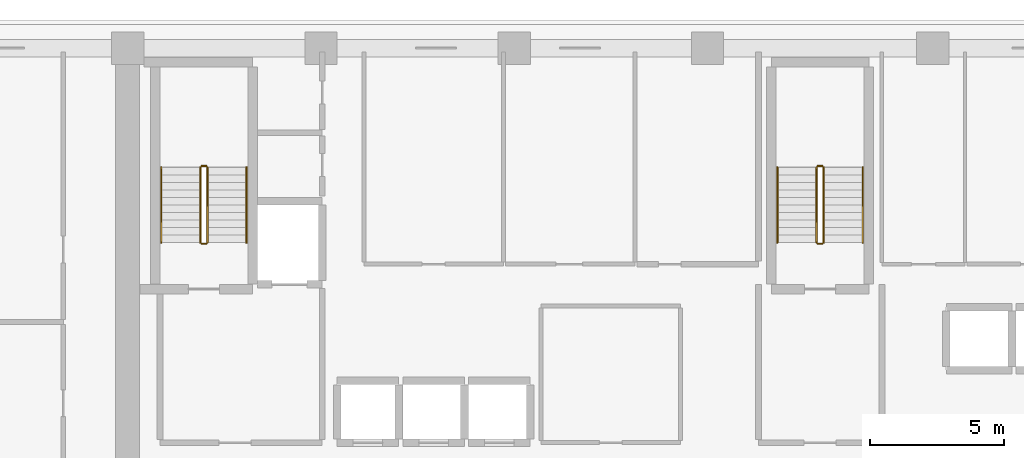
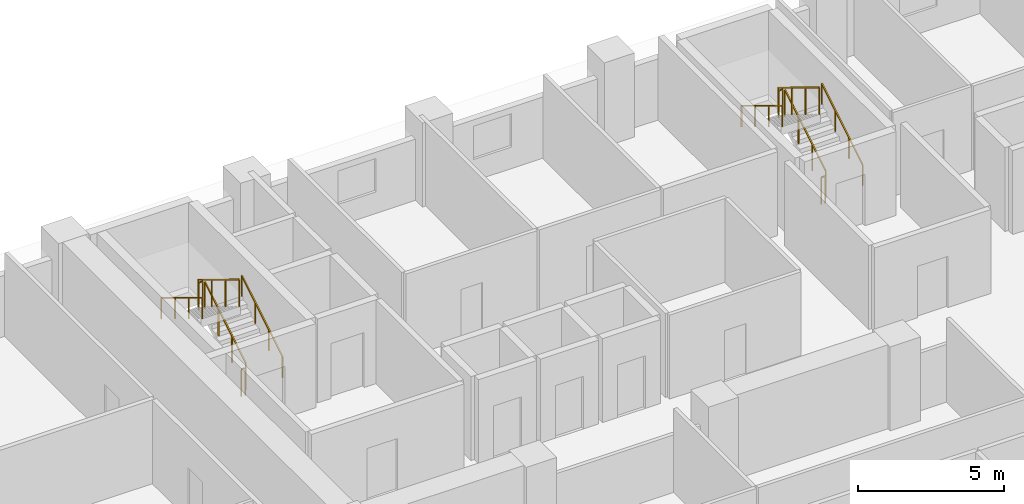
# One storey, part 13 of 15: 12 railings.
"""IFC4 building model written with IfcOpenShell, lengths in metres."""

from ifc_helpers import new_model, si_unit, direction, frame, origin, origin_2d, place, context, subcontext, project, spatial, rectangle, extrude, material, type_object, element, save


model = new_model("IFC4")

# Units and contexts
model_context = context("Model", 3, precision=1e-05, world=origin(), true_north=direction((0.0, 1.0)))
body_context = subcontext(model_context, "Body", "Model", "MODEL_VIEW")
ifc_project = project(units=[si_unit("LENGTHUNIT", "METRE"), si_unit("AREAUNIT", "SQUARE_METRE"), si_unit("VOLUMEUNIT", "CUBIC_METRE"), si_unit("PLANEANGLEUNIT", "RADIAN"), si_unit("MASSUNIT", "GRAM", prefix="KILO")], contexts=[model_context])

# Site, building, storey
site_placement = place(None, origin())
site = spatial("IfcSite", under=ifc_project, at=site_placement, CompositionType="ELEMENT")
building_placement = place(site_placement, origin())
building = spatial("IfcBuilding", under=site, at=building_placement, Name="Kaelvorn Grand Hotel", CompositionType="ELEMENT")
storey_placement = place(building_placement, frame((0.0, 0.0, 100.550048828125)))
storey = spatial("IfcBuildingStorey", under=building, at=storey_placement, Name="L23", CompositionType="ELEMENT", Elevation=100.550048828125)

# Railings
ifc_material = material(Name="Stainless Steel", Category="steel")
railing_type_1 = type_object("IfcRailingType", Name="RL-HANDRAIL-900", PredefinedType="HANDRAIL", material=ifc_material)
railing_1_placement = place(storey_placement, frame((20.6298828125, 41.760009765625, 0.17041015625)))
element("IfcRailing", 1, at=railing_1_placement, inside=storey, type_object=railing_type_1, Name="L23 ST1 stair handrail 1", PredefinedType="HANDRAIL", context=body_context, shape_type="SweptSolid", body=[
    extrude(rectangle(XDim=0.048095703125, YDim=0.048095703125, at=origin_2d()), frame((0.0, 0.0, 0.8759765625), z_axis=(0.0, 0.854169791009, 0.51999420009), x_axis=(-1.0, 0.0, 0.0)), (0.0, 0.0, 1.0), 3.278076171875),
    extrude(rectangle(XDim=0.0419921875, YDim=0.0419921875, at=origin_2d()), origin(), (0.0, 0.0, 1.0), 0.851806640625),
    extrude(rectangle(XDim=0.0419921875, YDim=0.0419921875, at=origin_2d()), frame((0.0, 0.933349609375, 0.568115234375)), (0.0, 0.0, 1.0), 0.851806640625),
    extrude(rectangle(XDim=0.0419921875, YDim=0.0419921875, at=origin_2d()), frame((0.0, 1.86669921875, 1.136474609375)), (0.0, 0.0, 1.0), 0.851806640625),
    extrude(rectangle(XDim=0.0419921875, YDim=0.0419921875, at=origin_2d()), frame((0.0, 2.800048828125, 1.70458984375)), (0.0, 0.0, 1.0), 0.851806640625),
])
railing_2_placement = place(storey_placement, frame((17.449951171875, 44.56005859375, 2.04541015625)))
element("IfcRailing", 2, at=railing_2_placement, inside=storey, type_object=railing_type_1, Name="L23 ST1 stair handrail 2", PredefinedType="HANDRAIL", context=body_context, shape_type="SweptSolid", body=[
    extrude(rectangle(XDim=0.048095703125, YDim=0.048095703125, at=origin_2d()), frame((0.0, 0.0, 0.8759765625), z_axis=(0.0, -0.854169791009, 0.51999420009), x_axis=(1.0, 0.0, 0.0)), (0.0, 0.0, 1.0), 3.278076171875),
    extrude(rectangle(XDim=0.0419921875, YDim=0.0419921875, at=origin_2d()), origin(), (0.0, 0.0, 1.0), 0.851806640625),
    extrude(rectangle(XDim=0.0419921875, YDim=0.0419921875, at=origin_2d()), frame((0.0, -0.933349609375, 0.568115234375)), (0.0, 0.0, 1.0), 0.851806640625),
    extrude(rectangle(XDim=0.0419921875, YDim=0.0419921875, at=origin_2d()), frame((0.0, -1.86669921875, 1.136474609375)), (0.0, 0.0, 1.0), 0.851806640625),
    extrude(rectangle(XDim=0.0419921875, YDim=0.0419921875, at=origin_2d()), frame((0.0, -2.800048828125, 1.70458984375)), (0.0, 0.0, 1.0), 0.851806640625),
])
railing_3_placement = place(storey_placement, frame((43.590087890625, 41.760009765625, 0.17041015625)))
element("IfcRailing", 3, at=railing_3_placement, inside=storey, type_object=railing_type_1, Name="L23 ST2 stair handrail 1", PredefinedType="HANDRAIL", context=body_context, shape_type="SweptSolid", body=[
    extrude(rectangle(XDim=0.048095703125, YDim=0.048095703125, at=origin_2d()), frame((0.0, 0.0, 0.8759765625), z_axis=(0.0, 0.854169791009, 0.51999420009), x_axis=(-1.0, 0.0, 0.0)), (0.0, 0.0, 1.0), 3.278076171875),
    extrude(rectangle(XDim=0.0419921875, YDim=0.0419921875, at=origin_2d()), origin(), (0.0, 0.0, 1.0), 0.851806640625),
    extrude(rectangle(XDim=0.0419921875, YDim=0.0419921875, at=origin_2d()), frame((0.0, 0.933349609375, 0.568115234375)), (0.0, 0.0, 1.0), 0.851806640625),
    extrude(rectangle(XDim=0.0419921875, YDim=0.0419921875, at=origin_2d()), frame((0.0, 1.86669921875, 1.136474609375)), (0.0, 0.0, 1.0), 0.851806640625),
    extrude(rectangle(XDim=0.0419921875, YDim=0.0419921875, at=origin_2d()), frame((0.0, 2.800048828125, 1.70458984375)), (0.0, 0.0, 1.0), 0.851806640625),
])
railing_4_placement = place(storey_placement, frame((40.409912109375, 44.56005859375, 2.04541015625)))
element("IfcRailing", 4, at=railing_4_placement, inside=storey, type_object=railing_type_1, Name="L23 ST2 stair handrail 2", PredefinedType="HANDRAIL", context=body_context, shape_type="SweptSolid", body=[
    extrude(rectangle(XDim=0.048095703125, YDim=0.048095703125, at=origin_2d()), frame((0.0, 0.0, 0.8759765625), z_axis=(0.0, -0.854169791009, 0.51999420009), x_axis=(1.0, 0.0, 0.0)), (0.0, 0.0, 1.0), 3.278076171875),
    extrude(rectangle(XDim=0.0419921875, YDim=0.0419921875, at=origin_2d()), origin(), (0.0, 0.0, 1.0), 0.851806640625),
    extrude(rectangle(XDim=0.0419921875, YDim=0.0419921875, at=origin_2d()), frame((0.0, -0.933349609375, 0.568115234375)), (0.0, 0.0, 1.0), 0.851806640625),
    extrude(rectangle(XDim=0.0419921875, YDim=0.0419921875, at=origin_2d()), frame((0.0, -1.86669921875, 1.136474609375)), (0.0, 0.0, 1.0), 0.851806640625),
    extrude(rectangle(XDim=0.0419921875, YDim=0.0419921875, at=origin_2d()), frame((0.0, -2.800048828125, 1.70458984375)), (0.0, 0.0, 1.0), 0.851806640625),
])
railing_type_2 = type_object("IfcRailingType", Name="RL-STAIR-GUARD-1150", PredefinedType="BALUSTRADE", material=ifc_material)
railing_5_placement = place(storey_placement, frame((19.169921875, 41.760009765625, 0.17041015625)))
element("IfcRailing", 5, at=railing_5_placement, inside=storey, type_object=railing_type_2, Name="L23 ST1 stair guard 1", PredefinedType="BALUSTRADE", context=body_context, shape_type="SweptSolid", body=[
    extrude(rectangle(XDim=0.048095703125, YDim=0.048095703125, at=origin_2d()), frame((0.0, 0.0, 1.1259765625), z_axis=(0.0, 0.854169791009, 0.51999420009), x_axis=(-1.0, 0.0, 0.0)), (0.0, 0.0, 1.0), 3.278076171875),
    extrude(rectangle(XDim=0.0419921875, YDim=0.0419921875, at=origin_2d()), origin(), (0.0, 0.0, 1.0), 1.101806640625),
    extrude(rectangle(XDim=0.0419921875, YDim=0.0419921875, at=origin_2d()), frame((0.0, 0.933349609375, 0.568115234375)), (0.0, 0.0, 1.0), 1.101806640625),
    extrude(rectangle(XDim=0.0419921875, YDim=0.0419921875, at=origin_2d()), frame((0.0, 1.86669921875, 1.136474609375)), (0.0, 0.0, 1.0), 1.101806640625),
    extrude(rectangle(XDim=0.0419921875, YDim=0.0419921875, at=origin_2d()), frame((0.0, 2.800048828125, 1.70458984375)), (0.0, 0.0, 1.0), 1.101806640625),
])
railing_6_placement = place(storey_placement, frame((19.1201171875, 44.610107421875, 1.875)))
element("IfcRailing", 6, at=railing_6_placement, inside=storey, type_object=railing_type_2, Name="L23 ST1 stair guard 2", PredefinedType="BALUSTRADE", context=body_context, shape_type="SweptSolid", body=[
    extrude(rectangle(XDim=0.048095703125, YDim=0.048095703125, at=origin_2d()), frame((0.0, 0.0, 1.1259765625), z_axis=(-1.0, 0.0, 0.0), x_axis=(0.0, -1.0, 0.0)), (0.0, 0.0, 1.0), 0.16015625),
    extrude(rectangle(XDim=0.0419921875, YDim=0.0419921875, at=origin_2d()), origin(), (0.0, 0.0, 1.0), 1.101806640625),
    extrude(rectangle(XDim=0.0419921875, YDim=0.0419921875, at=origin_2d()), frame((-0.16015625, 0.0, 0.0)), (0.0, 0.0, 1.0), 1.101806640625),
])
railing_7_placement = place(storey_placement, frame((18.909912109375, 44.56005859375, 2.04541015625)))
element("IfcRailing", 7, at=railing_7_placement, inside=storey, type_object=railing_type_2, Name="L23 ST1 stair guard 3", PredefinedType="BALUSTRADE", context=body_context, shape_type="SweptSolid", body=[
    extrude(rectangle(XDim=0.048095703125, YDim=0.048095703125, at=origin_2d()), frame((0.0, 0.0, 1.1259765625), z_axis=(0.0, -0.854169791009, 0.51999420009), x_axis=(1.0, 0.0, 0.0)), (0.0, 0.0, 1.0), 3.278076171875),
    extrude(rectangle(XDim=0.0419921875, YDim=0.0419921875, at=origin_2d()), origin(), (0.0, 0.0, 1.0), 1.101806640625),
    extrude(rectangle(XDim=0.0419921875, YDim=0.0419921875, at=origin_2d()), frame((0.0, -0.933349609375, 0.568115234375)), (0.0, 0.0, 1.0), 1.101806640625),
    extrude(rectangle(XDim=0.0419921875, YDim=0.0419921875, at=origin_2d()), frame((0.0, -1.86669921875, 1.136474609375)), (0.0, 0.0, 1.0), 1.101806640625),
    extrude(rectangle(XDim=0.0419921875, YDim=0.0419921875, at=origin_2d()), frame((0.0, -2.800048828125, 1.70458984375)), (0.0, 0.0, 1.0), 1.101806640625),
])
railing_8_placement = place(storey_placement, frame((19.1201171875, 41.7099609375, 0.0)))
element("IfcRailing", 8, at=railing_8_placement, inside=storey, type_object=railing_type_2, Name="L23 ST1 stair guard 4", PredefinedType="BALUSTRADE", context=body_context, shape_type="SweptSolid", body=[
    extrude(rectangle(XDim=0.048095703125, YDim=0.048095703125, at=origin_2d()), frame((0.0, 0.0, 1.1259765625), z_axis=(-1.0, 0.0, 0.0), x_axis=(0.0, -1.0, 0.0)), (0.0, 0.0, 1.0), 0.16015625),
    extrude(rectangle(XDim=0.0419921875, YDim=0.0419921875, at=origin_2d()), origin(), (0.0, 0.0, 1.0), 1.101806640625),
    extrude(rectangle(XDim=0.0419921875, YDim=0.0419921875, at=origin_2d()), frame((-0.16015625, 0.0, 0.0)), (0.0, 0.0, 1.0), 1.101806640625),
])
railing_9_placement = place(storey_placement, frame((42.1298828125, 41.760009765625, 0.17041015625)))
element("IfcRailing", 9, at=railing_9_placement, inside=storey, type_object=railing_type_2, Name="L23 ST2 stair guard 1", PredefinedType="BALUSTRADE", context=body_context, shape_type="SweptSolid", body=[
    extrude(rectangle(XDim=0.048095703125, YDim=0.048095703125, at=origin_2d()), frame((0.0, 0.0, 1.1259765625), z_axis=(0.0, 0.854169791009, 0.51999420009), x_axis=(-1.0, 0.0, 0.0)), (0.0, 0.0, 1.0), 3.278076171875),
    extrude(rectangle(XDim=0.0419921875, YDim=0.0419921875, at=origin_2d()), origin(), (0.0, 0.0, 1.0), 1.101806640625),
    extrude(rectangle(XDim=0.0419921875, YDim=0.0419921875, at=origin_2d()), frame((0.0, 0.933349609375, 0.568115234375)), (0.0, 0.0, 1.0), 1.101806640625),
    extrude(rectangle(XDim=0.0419921875, YDim=0.0419921875, at=origin_2d()), frame((0.0, 1.86669921875, 1.136474609375)), (0.0, 0.0, 1.0), 1.101806640625),
    extrude(rectangle(XDim=0.0419921875, YDim=0.0419921875, at=origin_2d()), frame((0.0, 2.800048828125, 1.70458984375)), (0.0, 0.0, 1.0), 1.101806640625),
])
railing_10_placement = place(storey_placement, frame((42.080078125, 44.610107421875, 1.875)))
element("IfcRailing", 10, at=railing_10_placement, inside=storey, type_object=railing_type_2, Name="L23 ST2 stair guard 2", PredefinedType="BALUSTRADE", context=body_context, shape_type="SweptSolid", body=[
    extrude(rectangle(XDim=0.048095703125, YDim=0.048095703125, at=origin_2d()), frame((0.0, 0.0, 1.1259765625), z_axis=(-1.0, 0.0, 0.0), x_axis=(0.0, -1.0, 0.0)), (0.0, 0.0, 1.0), 0.16015625),
    extrude(rectangle(XDim=0.0419921875, YDim=0.0419921875, at=origin_2d()), origin(), (0.0, 0.0, 1.0), 1.101806640625),
    extrude(rectangle(XDim=0.0419921875, YDim=0.0419921875, at=origin_2d()), frame((-0.16015625, 0.0, 0.0)), (0.0, 0.0, 1.0), 1.101806640625),
])
railing_11_placement = place(storey_placement, frame((41.8701171875, 44.56005859375, 2.04541015625)))
element("IfcRailing", 11, at=railing_11_placement, inside=storey, type_object=railing_type_2, Name="L23 ST2 stair guard 3", PredefinedType="BALUSTRADE", context=body_context, shape_type="SweptSolid", body=[
    extrude(rectangle(XDim=0.048095703125, YDim=0.048095703125, at=origin_2d()), frame((0.0, 0.0, 1.1259765625), z_axis=(0.0, -0.854169791009, 0.51999420009), x_axis=(1.0, 0.0, 0.0)), (0.0, 0.0, 1.0), 3.278076171875),
    extrude(rectangle(XDim=0.0419921875, YDim=0.0419921875, at=origin_2d()), origin(), (0.0, 0.0, 1.0), 1.101806640625),
    extrude(rectangle(XDim=0.0419921875, YDim=0.0419921875, at=origin_2d()), frame((0.0, -0.933349609375, 0.568115234375)), (0.0, 0.0, 1.0), 1.101806640625),
    extrude(rectangle(XDim=0.0419921875, YDim=0.0419921875, at=origin_2d()), frame((0.0, -1.86669921875, 1.136474609375)), (0.0, 0.0, 1.0), 1.101806640625),
    extrude(rectangle(XDim=0.0419921875, YDim=0.0419921875, at=origin_2d()), frame((0.0, -2.800048828125, 1.70458984375)), (0.0, 0.0, 1.0), 1.101806640625),
])
railing_12_placement = place(storey_placement, frame((42.080078125, 41.7099609375, 0.0)))
element("IfcRailing", 12, at=railing_12_placement, inside=storey, type_object=railing_type_2, Name="L23 ST2 stair guard 4", PredefinedType="BALUSTRADE", context=body_context, shape_type="SweptSolid", body=[
    extrude(rectangle(XDim=0.048095703125, YDim=0.048095703125, at=origin_2d()), frame((0.0, 0.0, 1.1259765625), z_axis=(-1.0, 0.0, 0.0), x_axis=(0.0, -1.0, 0.0)), (0.0, 0.0, 1.0), 0.16015625),
    extrude(rectangle(XDim=0.0419921875, YDim=0.0419921875, at=origin_2d()), origin(), (0.0, 0.0, 1.0), 1.101806640625),
    extrude(rectangle(XDim=0.0419921875, YDim=0.0419921875, at=origin_2d()), frame((-0.16015625, 0.0, 0.0)), (0.0, 0.0, 1.0), 1.101806640625),
])

save(model, "model.ifc")
